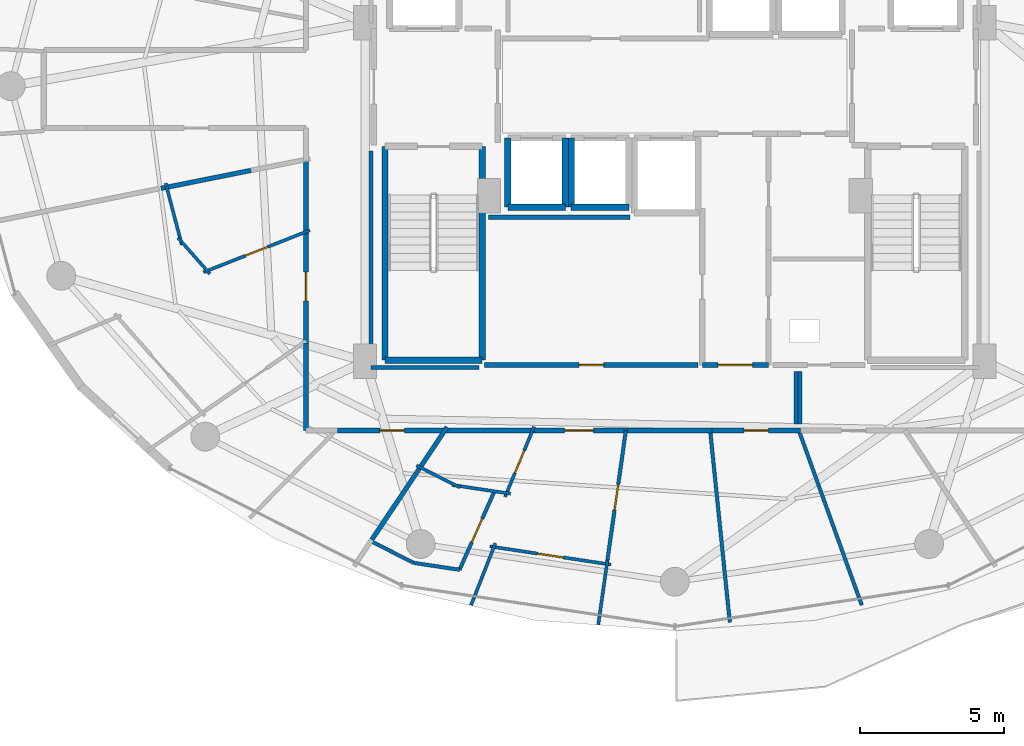
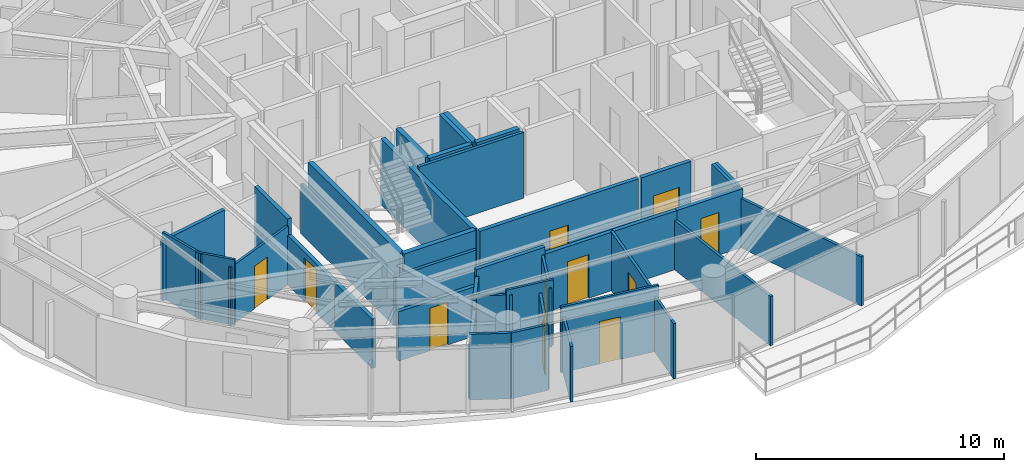
# One storey, part 21 of 30: 41 walls, 11 doors, 11 openings.
"""IFC4 building model written with IfcOpenShell, lengths in metres."""

from ifc_helpers import new_model, si_unit, direction, frame, frame_2d, origin, place, context, subcontext, project, spatial, rectangle, extrude, material, layer, layer_set, type_object, element, fill, save


model = new_model("IFC4")

# Units and contexts
model_context = context("Model", 3, precision=1e-05, world=origin(), true_north=direction((0.0, 1.0)))
body_context = subcontext(model_context, "Body", "Model", "MODEL_VIEW")
ifc_project = project(units=[si_unit("LENGTHUNIT", "METRE"), si_unit("AREAUNIT", "SQUARE_METRE"), si_unit("VOLUMEUNIT", "CUBIC_METRE"), si_unit("PLANEANGLEUNIT", "RADIAN"), si_unit("MASSUNIT", "GRAM", prefix="KILO")], contexts=[model_context])

# Site, building, storey
site_placement = place(None, origin())
site = spatial("IfcSite", under=ifc_project, at=site_placement, CompositionType="ELEMENT")
building_placement = place(site_placement, origin())
building = spatial("IfcBuilding", under=site, at=building_placement, Name="Vorneva Point Tower", CompositionType="ELEMENT")
storey_placement = place(building_placement, frame((0.0, 0.0, 153.60009765625)))
storey = spatial("IfcBuildingStorey", under=building, at=storey_placement, Name="L41", CompositionType="ELEMENT", Elevation=153.60009765625)

# Wall, opening, door
ifc_material_1 = material(Name="Fire-rated acoustic gypsum stud partition", Category="gypsum")
ifc_layer_1 = layer(ifc_material_1, 0.110107421875)
ifc_layer_set_1 = layer_set([ifc_layer_1], Name="Fire-rated acoustic gypsum stud partition")
wall_type_1 = type_object("IfcWallType", Name="WL-PART-110", PredefinedType="PARTITIONING", material=ifc_layer_set_1)
wall_1_placement = place(storey_placement, frame((25.330078125, 20.997314453125, 0.0), z_axis=(0.0, 0.0, 1.0), x_axis=(-0.930092731386, -0.367324803169, 0.0)))
wall_1 = element("IfcWall", 1, at=wall_1_placement, inside=storey, type_object=wall_type_1, Name="L41 Interior Partition 110", PredefinedType="PARTITIONING", context=body_context, shape_type="SweptSolid", body=[
    extrude(rectangle(XDim=3.968505859375, YDim=0.110107421875, at=frame_2d((1.984375, 0.0))), origin(), (0.0, 0.0, 1.0), 2.885986328125),
])
opening_1_placement = place(wall_1_placement, frame((1.559326171875, 0.0, 0.0)))
opening_1 = element("IfcOpeningElement", 2, at=opening_1_placement, cuts=wall_1, Name="Opening ID-02", PredefinedType="OPENING", context=body_context, shape_type="SweptSolid", body=[
    extrude(rectangle(XDim=0.85009765625, YDim=2.10009765625, at=frame_2d((0.425048828125, 1.050048828125))), frame((0.0, 0.06982421875, 0.0), z_axis=(0.0, -1.0, 0.0), x_axis=(1.0, 0.0, 0.0)), (0.0, 0.0, 1.0), 0.139892578125),
])
ifc_material_2 = material(Name="Engineered oak fire-rated door leaf", Category="wood")
door_type_1 = type_object("IfcDoorType", Name="DR-BATH-850", OperationType="NOTDEFINED", PredefinedType="DOOR", material=ifc_material_2)
door_1_placement = place(opening_1_placement, origin())
door_1 = element("IfcDoor", 3, at=door_1_placement, inside=storey, type_object=door_type_1, Name="L41 Door Living and Dining Room L41-05 / Bathroom L41-05", OperationType="SINGLE_SWING_LEFT", OverallHeight=2.10009765625, OverallWidth=0.85009765625, PredefinedType="DOOR", context=body_context, shape_type="SweptSolid", body=[
    extrude(rectangle(XDim=0.85009765625, YDim=2.10009765625, at=frame_2d((0.425048828125, 1.050048828125))), frame((0.0, 0.02490234375, 0.0), z_axis=(0.0, -1.0, 0.0), x_axis=(1.0, 0.0, 0.0)), (0.0, 0.0, 1.0), 0.050048828125),
])
fill(opening_1, door_1)

# Walls
wall_2_placement = place(storey_placement, frame((21.861572265625, 19.486083984375, 0.0), z_axis=(0.0, 0.0, 1.0), x_axis=(-0.661645897528, 0.749816448396, 0.0)))
element("IfcWall", 4, at=wall_2_placement, inside=storey, type_object=wall_type_1, Name="L41 Interior Partition 111", PredefinedType="PARTITIONING", context=body_context, shape_type="SweptSolid", body=[
    extrude(rectangle(XDim=1.6640625, YDim=0.110107421875, at=frame_2d((0.83203125, 0.0))), origin(), (0.0, 0.0, 1.0), 3.239990234375),
])
wall_3_placement = place(storey_placement, frame((20.888671875, 20.49365234375, 0.0), z_axis=(0.0, 0.0, 1.0), x_axis=(-0.254389812051, 0.967101764823, 0.0)))
element("IfcWall", 5, at=wall_3_placement, inside=storey, type_object=wall_type_1, Name="L41 Interior Partition 112", PredefinedType="PARTITIONING", context=body_context, shape_type="SweptSolid", body=[
    extrude(rectangle(XDim=2.206298828125, YDim=0.110107421875, at=frame_2d((1.10302734375, 0.0))), origin(), (0.0, 0.0, 1.0), 3.239990234375),
])

# Wall, opening, door
wall_4_placement = place(storey_placement, frame((33.112548828125, 14.179443359375, 0.0), z_axis=(0.0, 0.0, 1.0), x_axis=(-0.382343605935, -0.924020220017, 0.0)))
wall_4 = element("IfcWall", 6, at=wall_4_placement, inside=storey, type_object=wall_type_1, Name="L41 Interior Partition 121", PredefinedType="PARTITIONING", context=body_context, shape_type="SweptSolid", body=[
    extrude(rectangle(XDim=2.634033203125, YDim=0.110107421875, at=frame_2d((1.31689453125, 0.0))), origin(), (0.0, 0.0, 1.0), 2.885986328125),
])
opening_2_placement = place(wall_4_placement, frame((0.89208984375, 0.0, 0.0)))
opening_2 = element("IfcOpeningElement", 7, at=opening_2_placement, cuts=wall_4, Name="Opening ID-02", PredefinedType="OPENING", context=body_context, shape_type="SweptSolid", body=[
    extrude(rectangle(XDim=0.85009765625, YDim=2.10009765625, at=frame_2d((0.425048828125, 1.050048828125))), frame((0.0, 0.06982421875, 0.0), z_axis=(0.0, -1.0, 0.0), x_axis=(1.0, 0.0, 0.0)), (0.0, 0.0, 1.0), 0.139892578125),
])
door_2_placement = place(opening_2_placement, origin())
door_2 = element("IfcDoor", 8, at=door_2_placement, inside=storey, type_object=door_type_1, Name="L41 Door Living and Dining Room L41-06 / Bathroom L41-06", OperationType="SINGLE_SWING_RIGHT", OverallHeight=2.10009765625, OverallWidth=0.85009765625, PredefinedType="DOOR", context=body_context, shape_type="SweptSolid", body=[
    extrude(rectangle(XDim=0.85009765625, YDim=2.10009765625, at=frame_2d((0.425048828125, 1.050048828125))), frame((0.0, 0.02490234375, 0.0), z_axis=(0.0, -1.0, 0.0), x_axis=(1.0, 0.0, 0.0)), (0.0, 0.0, 1.0), 0.050048828125),
])
fill(opening_2, door_2)

# Walls
wall_5_placement = place(storey_placement, frame((32.29736328125, 11.854248046875, 0.0), z_axis=(0.0, 0.0, 1.0), x_axis=(-0.988917131865, 0.148468536412, 0.0)))
element("IfcWall", 9, at=wall_5_placement, inside=storey, type_object=wall_type_1, Name="L41 Interior Partition 122", PredefinedType="PARTITIONING", context=body_context, shape_type="SweptSolid", body=[
    extrude(rectangle(XDim=2.050537109375, YDim=0.110107421875, at=frame_2d((1.025390625, 0.0))), origin(), (0.0, 0.0, 1.0), 3.239990234375),
])
wall_6_placement = place(storey_placement, frame((30.9248046875, 7.981689453125, 0.0), z_axis=(0.0, 0.0, 1.0), x_axis=(0.365433616255, 0.930837403691, 0.0)))
element("IfcWall", 10, at=wall_6_placement, inside=storey, type_object=wall_type_1, Name="L41 Interior Partition 123", PredefinedType="PARTITIONING", context=body_context, shape_type="SweptSolid", body=[
    extrude(rectangle(XDim=2.3134765625, YDim=0.110107421875, at=frame_2d((1.15673828125, 0.0))), origin(), (0.0, 0.0, 1.0), 2.727783203125),
])

# Wall, opening, door
wall_7_placement = place(storey_placement, frame((31.58056640625, 10.02587890625, 0.0), z_axis=(0.0, 0.0, 1.0), x_axis=(0.988869600434, -0.148784788666, 0.0)))
wall_7 = element("IfcWall", 11, at=wall_7_placement, inside=storey, type_object=wall_type_1, Name="L41 Interior Partition 124", PredefinedType="PARTITIONING", context=body_context, shape_type="SweptSolid", body=[
    extrude(rectangle(XDim=4.2451171875, YDim=0.110107421875, at=frame_2d((2.12255859375, 0.0))), origin(), (0.0, 0.0, 1.0), 3.239990234375),
])
opening_3_placement = place(wall_7_placement, frame((1.672607421875, 0.0, 0.0)))
opening_3 = element("IfcOpeningElement", 12, at=opening_3_placement, cuts=wall_7, Name="Opening ID-01", PredefinedType="OPENING", context=body_context, shape_type="SweptSolid", body=[
    extrude(rectangle(XDim=0.89990234375, YDim=2.10009765625, at=frame_2d((0.449951171875, 1.050048828125))), frame((0.0, 0.06982421875, 0.0), z_axis=(0.0, -1.0, 0.0), x_axis=(1.0, 0.0, 0.0)), (0.0, 0.0, 1.0), 0.139892578125),
])
door_type_2 = type_object("IfcDoorType", Name="DR-ROOM-900", OperationType="NOTDEFINED", PredefinedType="DOOR", material=ifc_material_2)
door_3_placement = place(opening_3_placement, origin())
door_3 = element("IfcDoor", 13, at=door_3_placement, inside=storey, type_object=door_type_2, Name="L41 Door Living and Dining Room L41-06 / Kitchen L41-06", OperationType="SINGLE_SWING_LEFT", OverallHeight=2.10009765625, OverallWidth=0.89990234375, PredefinedType="DOOR", context=body_context, shape_type="SweptSolid", body=[
    extrude(rectangle(XDim=0.89990234375, YDim=2.10009765625, at=frame_2d((0.449951171875, 1.050048828125))), frame((0.0, 0.02490234375, 0.0), z_axis=(0.0, -1.0, 0.0), x_axis=(1.0, 0.0, 0.0)), (0.0, 0.0, 1.0), 0.050048828125),
])
fill(opening_3, door_3)

# Walls
wall_8_placement = place(storey_placement, frame((29.033935546875, 12.83203125, 0.0), z_axis=(0.0, 0.0, 1.0), x_axis=(0.892617244745, -0.450815321816, 0.0)))
element("IfcWall", 14, at=wall_8_placement, inside=storey, type_object=wall_type_1, Name="L41 Interior Partition 129", PredefinedType="PARTITIONING", context=body_context, shape_type="SweptSolid", body=[
    extrude(rectangle(XDim=1.679443359375, YDim=0.110107421875, at=frame_2d((0.83984375, 0.0))), origin(), (0.0, 0.0, 1.0), 2.971923828125),
])
wall_9_placement = place(storey_placement, frame((35.34033203125, 7.308349609375, 0.0), z_axis=(0.0, 0.0, 1.0), x_axis=(0.140803429846, 0.990037572087, 0.0)))
element("IfcWall", 15, at=wall_9_placement, inside=storey, type_object=wall_type_1, Name="L41 Interior Partition 130", PredefinedType="PARTITIONING", context=body_context, shape_type="SweptSolid", body=[
    extrude(rectangle(XDim=2.26806640625, YDim=0.110107421875, at=frame_2d((1.134033203125, 0.0))), origin(), (0.0, 0.0, 1.0), 2.727783203125),
])

# Wall, opening, door
ifc_layer_2 = layer(ifc_material_1, 0.125)
ifc_layer_set_2 = layer_set([ifc_layer_2], Name="Fire-rated acoustic gypsum stud partition")
wall_type_2 = type_object("IfcWallType", Name="WL-PART-125", PredefinedType="PARTITIONING", material=ifc_layer_set_2)
wall_10_placement = place(storey_placement, frame((31.738037109375, 11.93798828125, 0.0), z_axis=(0.0, 0.0, 1.0), x_axis=(-0.406814964782, -0.913510582549, 0.0)))
wall_10 = element("IfcWall", 16, at=wall_10_placement, inside=storey, type_object=wall_type_2, Name="L41 Interior Partition 125", PredefinedType="PARTITIONING", context=body_context, shape_type="SweptSolid", body=[
    extrude(rectangle(XDim=2.979736328125, YDim=0.125, at=frame_2d((1.48974609375, 0.0))), origin(), (0.0, 0.0, 1.0), 2.727783203125),
])
opening_4_placement = place(wall_10_placement, frame((1.039794921875, 0.0, 0.0)))
opening_4 = element("IfcOpeningElement", 17, at=opening_4_placement, cuts=wall_10, Name="Opening ID-01", PredefinedType="OPENING", context=body_context, shape_type="SweptSolid", body=[
    extrude(rectangle(XDim=0.89990234375, YDim=2.10009765625, at=frame_2d((0.449951171875, 1.050048828125))), frame((0.0, 0.077392578125, 0.0), z_axis=(0.0, -1.0, 0.0), x_axis=(1.0, 0.0, 0.0)), (0.0, 0.0, 1.0), 0.15478515625),
])
door_4_placement = place(opening_4_placement, origin())
door_4 = element("IfcDoor", 18, at=door_4_placement, inside=storey, type_object=door_type_2, Name="L41 Door Living and Dining Room L41-06 / Study Room L41-06", OperationType="SINGLE_SWING_RIGHT", OverallHeight=2.10009765625, OverallWidth=0.89990234375, PredefinedType="DOOR", context=body_context, shape_type="SweptSolid", body=[
    extrude(rectangle(XDim=0.89990234375, YDim=2.10009765625, at=frame_2d((0.449951171875, 1.050048828125))), frame((0.0, 0.02490234375, 0.0), z_axis=(0.0, -1.0, 0.0), x_axis=(1.0, 0.0, 0.0)), (0.0, 0.0, 1.0), 0.050048828125),
])
fill(opening_4, door_4)

# Walls
wall_11_placement = place(storey_placement, frame((30.52587890625, 9.216064453125, 0.0), z_axis=(0.0, 0.0, 1.0), x_axis=(-0.988860390109, 0.148845990455, 0.0)))
element("IfcWall", 19, at=wall_11_placement, inside=storey, type_object=wall_type_2, Name="L41 Interior Partition 126", PredefinedType="PARTITIONING", context=body_context, shape_type="SweptSolid", body=[
    extrude(rectangle(XDim=1.605712890625, YDim=0.125, at=frame_2d((0.802734375, 0.0))), origin(), (0.0, 0.0, 1.0), 3.239990234375),
])
wall_12_placement = place(storey_placement, frame((28.93798828125, 9.455078125, 0.0), z_axis=(0.0, 0.0, 1.0), x_axis=(-0.892517956507, 0.451011859392, 0.0)))
element("IfcWall", 20, at=wall_12_placement, inside=storey, type_object=wall_type_2, Name="L41 Interior Partition 127", PredefinedType="PARTITIONING", context=body_context, shape_type="SweptSolid", body=[
    extrude(rectangle(XDim=1.66943359375, YDim=0.125, at=frame_2d((0.834716796875, 0.0))), origin(), (0.0, 0.0, 1.0), 3.239990234375),
])

# Wall, opening, door
wall_13_placement = place(storey_placement, frame((35.639892578125, 9.4150390625, 0.0), z_axis=(0.0, 0.0, 1.0), x_axis=(0.140800762129, 0.990037951487, 0.0)))
wall_13 = element("IfcWall", 21, at=wall_13_placement, inside=storey, type_object=wall_type_2, Name="L41 Interior Partition 128", PredefinedType="PARTITIONING", context=body_context, shape_type="SweptSolid", body=[
    extrude(rectangle(XDim=4.681640625, YDim=0.125, at=frame_2d((2.3408203125, 0.0))), origin(), (0.0, 0.0, 1.0), 2.885986328125),
])
opening_5_placement = place(wall_13_placement, frame((1.890869140625, 0.0, 0.0)))
opening_5 = element("IfcOpeningElement", 22, at=opening_5_placement, cuts=wall_13, Name="Opening ID-01", PredefinedType="OPENING", context=body_context, shape_type="SweptSolid", body=[
    extrude(rectangle(XDim=0.89990234375, YDim=2.10009765625, at=frame_2d((0.449951171875, 1.050048828125))), frame((0.0, 0.077392578125, 0.0), z_axis=(0.0, -1.0, 0.0), x_axis=(1.0, 0.0, 0.0)), (0.0, 0.0, 1.0), 0.15478515625),
])
door_5_placement = place(opening_5_placement, origin())
door_5 = element("IfcDoor", 23, at=door_5_placement, inside=storey, type_object=door_type_2, Name="L41 Door Living and Dining Room L41-06 / Master Bedroom L41-06.1", OperationType="SINGLE_SWING_LEFT", OverallHeight=2.10009765625, OverallWidth=0.89990234375, PredefinedType="DOOR", context=body_context, shape_type="SweptSolid", body=[
    extrude(rectangle(XDim=0.89990234375, YDim=2.10009765625, at=frame_2d((0.449951171875, 1.050048828125))), frame((0.0, 0.02490234375, 0.0), z_axis=(0.0, -1.0, 0.0), x_axis=(1.0, 0.0, 0.0)), (0.0, 0.0, 1.0), 0.050048828125),
])
fill(opening_5, door_5)

# Walls
wall_14_placement = place(storey_placement, frame((39.906005859375, 7.39208984375, 0.0), z_axis=(0.0, 0.0, 1.0), x_axis=(-0.101883545041, 0.994796332547, 0.0)))
element("IfcWall", 24, at=wall_14_placement, inside=storey, type_object=wall_type_2, Name="L41 Interior Partition 131", PredefinedType="PARTITIONING", context=body_context, shape_type="SweptSolid", body=[
    extrude(rectangle(XDim=6.69287109375, YDim=0.125, at=frame_2d((3.346435546875, 0.0))), origin(), (0.0, 0.0, 1.0), 2.431884765625),
])
wall_15_placement = place(storey_placement, frame((44.48388671875, 7.989013671875, 0.0), z_axis=(0.0, 0.0, 1.0), x_axis=(-0.338707389808, 0.940891760028, 0.0)))
element("IfcWall", 25, at=wall_15_placement, inside=storey, type_object=wall_type_2, Name="L41 Interior Partition 132", PredefinedType="PARTITIONING", context=body_context, shape_type="SweptSolid", body=[
    extrude(rectangle(XDim=6.44189453125, YDim=0.125, at=frame_2d((3.220947265625, 0.0))), origin(), (0.0, 0.0, 1.0), 2.431884765625),
])
ifc_layer_3 = layer(ifc_material_1, 0.139892578125)
ifc_layer_set_3 = layer_set([ifc_layer_3], Name="Fire-rated acoustic gypsum stud partition")
wall_type_3 = type_object("IfcWallType", Name="WL-PART-140", PredefinedType="PARTITIONING", material=ifc_layer_set_3)
wall_16_placement = place(storey_placement, frame((36.43896484375, 21.449951171875, 0.0), z_axis=(0.0, 0.0, 1.0), x_axis=(-1.0, 0.0, 0.0)))
element("IfcWall", 26, at=wall_16_placement, inside=storey, type_object=wall_type_3, Name="L41 Interior Closure Partition 141", PredefinedType="PARTITIONING", context=body_context, shape_type="SweptSolid", body=[
    extrude(rectangle(XDim=4.908935546875, YDim=0.139892578125, at=frame_2d((2.45458984375, 0.0))), origin(), (0.0, 0.0, 1.0), 3.239990234375),
])
wall_17_placement = place(storey_placement, frame((27.449951171875, 23.75390625, 0.0), z_axis=(0.0, 0.0, 1.0), x_axis=(0.0, -1.0, 0.0)))
element("IfcWall", 27, at=wall_17_placement, inside=storey, type_object=wall_type_3, Name="L41 Interior Closure Partition 151", PredefinedType="PARTITIONING", context=body_context, shape_type="SweptSolid", body=[
    extrude(rectangle(XDim=7.513916015625, YDim=0.139892578125, at=frame_2d((3.7568359375, 0.0))), origin(), (0.0, 0.0, 1.0), 2.431884765625),
])
wall_18_placement = place(storey_placement, frame((27.449951171875, 16.239990234375, 0.0), z_axis=(0.0, 0.0, 1.0), x_axis=(1.0, 0.0, 0.0)))
element("IfcWall", 28, at=wall_18_placement, inside=storey, type_object=wall_type_3, Name="L41 Interior Closure Partition 152", PredefinedType="PARTITIONING", context=body_context, shape_type="SweptSolid", body=[
    extrude(rectangle(XDim=3.7451171875, YDim=0.139892578125, at=frame_2d((1.87255859375, 0.0))), origin(), (0.0, 0.0, 1.0), 2.431884765625),
])
for number, where, z_axis, x_axis, name in (
    (29, (42.199951171875, 16.10009765625, 0.0), (0.0, 0.0, 1.0), (0.0, -1.0, 0.0), "L41 Interior Closure Partition 153"),
    (30, (42.340087890625, 14.27001953125, 0.0), (0.0, 0.0, 1.0), (0.0, 1.0, 0.0), "L41 Interior Closure Partition 154"),
):
    element("IfcWall", number, at=place(storey_placement, frame(where, z_axis=z_axis, x_axis=x_axis)), inside=storey, type_object=wall_type_3, Name=name, PredefinedType="PARTITIONING", context=body_context, shape_type="SweptSolid", body=[
        extrude(rectangle(XDim=1.830078125, YDim=0.139892578125, at=frame_2d((0.9150390625, 0.0))), origin(), (0.0, 0.0, 1.0), 2.885986328125),
    ])
ifc_layer_4 = layer(ifc_material_1, 0.159912109375)
ifc_layer_set_4 = layer_set([ifc_layer_4], Name="Fire-rated acoustic gypsum stud partition")
wall_type_4 = type_object("IfcWallType", Name="WL-PART-160", PredefinedType="PARTITIONING", material=ifc_layer_set_4)
wall_19_placement = place(storey_placement, frame((20.166748046875, 22.45263671875, 0.0), z_axis=(0.0, 0.0, 1.0), x_axis=(0.980766708229, 0.195183667423, 0.0)))
element("IfcWall", 31, at=wall_19_placement, inside=storey, type_object=wall_type_4, Name="L41 Interior Partition 108", PredefinedType="PARTITIONING", context=body_context, shape_type="SweptSolid", body=[
    extrude(rectangle(XDim=3.323486328125, YDim=0.159912109375, at=frame_2d((1.66162109375, 0.0))), origin(), (0.0, 0.0, 1.0), 2.971923828125),
])
wall_20_placement = place(storey_placement, frame((29.048095703125, 12.6025390625, 0.0), z_axis=(0.0, 0.0, 1.0), x_axis=(0.555448864434, 0.831550695387, 0.0)))
element("IfcWall", 32, at=wall_20_placement, inside=storey, type_object=wall_type_4, Name="L41 Interior Partition 119", PredefinedType="PARTITIONING", context=body_context, shape_type="SweptSolid", body=[
    extrude(rectangle(XDim=1.880859375, YDim=0.159912109375, at=frame_2d((0.9404296875, 0.0))), origin(), (0.0, 0.0, 1.0), 2.885986328125),
])
wall_21_placement = place(storey_placement, frame((27.48193359375, 10.258056640625, 0.0), z_axis=(0.0, 0.0, 1.0), x_axis=(0.5554636799, 0.831540798946, 0.0)))
element("IfcWall", 33, at=wall_21_placement, inside=storey, type_object=wall_type_4, Name="L41 Interior Partition 120", PredefinedType="PARTITIONING", context=body_context, shape_type="SweptSolid", body=[
    extrude(rectangle(XDim=2.80322265625, YDim=0.159912109375, at=frame_2d((1.401611328125, 0.0))), origin(), (0.0, 0.0, 1.0), 2.431884765625),
])

# Wall, opening, door
ifc_material_3 = material(Name="Autoclaved aerated concrete blockwork", Category="masonry")
ifc_layer_5 = layer(ifc_material_3, 0.179931640625)
ifc_layer_set_5 = layer_set([ifc_layer_5], Name="Autoclaved aerated concrete blockwork")
wall_type_5 = type_object("IfcWallType", Name="WL-PART-180", PredefinedType="PARTITIONING", material=ifc_layer_set_5)
wall_22_placement = place(storey_placement, frame((38.949951171875, 16.320068359375, 0.0), z_axis=(0.0, 0.0, 1.0), x_axis=(1.0, 0.0, 0.0)))
wall_22 = element("IfcWall", 34, at=wall_22_placement, inside=storey, type_object=wall_type_5, Name="L41 Interior Partition 016", PredefinedType="PARTITIONING", context=body_context, shape_type="SweptSolid", body=[
    extrude(rectangle(XDim=2.300048828125, YDim=0.179931640625, at=frame_2d((1.14990234375, 0.0))), origin(), (0.0, 0.0, 1.0), 3.239990234375),
])
opening_6_placement = place(wall_22_placement, frame((0.550048828125, 0.0, 0.0)))
opening_6 = element("IfcOpeningElement", 35, at=opening_6_placement, cuts=wall_22, Name="Opening FD-02", PredefinedType="OPENING", context=body_context, shape_type="SweptSolid", body=[
    extrude(rectangle(XDim=1.199951171875, YDim=2.14990234375, at=frame_2d((0.60009765625, 1.074951171875))), frame((0.0, 0.10498046875, 0.0), z_axis=(0.0, -1.0, 0.0), x_axis=(1.0, 0.0, 0.0)), (0.0, 0.0, 1.0), 0.209716796875),
])
ifc_material_4 = material(Name="Fire-rated powder-coated steel", Category="steel")
door_type_3 = type_object("IfcDoorType", Name="DR-FFL-1200", OperationType="NOTDEFINED", PredefinedType="DOOR", material=ifc_material_4)
door_6_placement = place(opening_6_placement, origin())
door_6 = element("IfcDoor", 36, at=door_6_placement, inside=storey, type_object=door_type_3, Name="L41 Door Core Service Lobby / L41 Circulation Corridor", OperationType="SINGLE_SWING_RIGHT", OverallHeight=2.14990234375, OverallWidth=1.199951171875, PredefinedType="DOOR", context=body_context, shape_type="SweptSolid", body=[
    extrude(rectangle(XDim=1.199951171875, YDim=2.14990234375, at=frame_2d((0.60009765625, 1.074951171875))), frame((0.0, 0.02490234375, 0.0), z_axis=(0.0, -1.0, 0.0), x_axis=(1.0, 0.0, 0.0)), (0.0, 0.0, 1.0), 0.050048828125),
])
fill(opening_6, door_6)

wall_23_placement = place(storey_placement, frame((31.39990234375, 16.320068359375, 0.0), z_axis=(0.0, 0.0, 1.0), x_axis=(1.0, 0.0, 0.0)))
wall_23 = element("IfcWall", 37, at=wall_23_placement, inside=storey, type_object=wall_type_5, Name="L41 Interior Partition 025", PredefinedType="PARTITIONING", context=body_context, shape_type="SweptSolid", body=[
    extrude(rectangle(XDim=7.400146484375, YDim=0.179931640625, at=frame_2d((3.7001953125, 0.0))), origin(), (0.0, 0.0, 1.0), 3.239990234375),
])
opening_7_placement = place(wall_23_placement, frame((3.27490234375, 0.0, 0.0)))
opening_7 = element("IfcOpeningElement", 38, at=opening_7_placement, cuts=wall_23, Name="Opening ID-02", PredefinedType="OPENING", context=body_context, shape_type="SweptSolid", body=[
    extrude(rectangle(XDim=0.85009765625, YDim=2.10009765625, at=frame_2d((0.425048828125, 1.050048828125))), frame((0.0, 0.10498046875, 0.0), z_axis=(0.0, -1.0, 0.0), x_axis=(1.0, 0.0, 0.0)), (0.0, 0.0, 1.0), 0.209716796875),
])
door_7_placement = place(opening_7_placement, origin())
door_7 = element("IfcDoor", 39, at=door_7_placement, inside=storey, type_object=door_type_1, Name="L41 Door Floor Storage Room / L41 Circulation Corridor", OperationType="SINGLE_SWING_RIGHT", OverallHeight=2.10009765625, OverallWidth=0.85009765625, PredefinedType="DOOR", context=body_context, shape_type="SweptSolid", body=[
    extrude(rectangle(XDim=0.85009765625, YDim=2.10009765625, at=frame_2d((0.425048828125, 1.050048828125))), frame((0.0, 0.02490234375, 0.0), z_axis=(0.0, -1.0, 0.0), x_axis=(1.0, 0.0, 0.0)), (0.0, 0.0, 1.0), 0.050048828125),
])
fill(opening_7, door_7)

wall_24_placement = place(storey_placement, frame((25.199951171875, 21.006103515625, 0.0), z_axis=(0.0, 0.0, 1.0), x_axis=(0.0, -1.0, 0.0)))
wall_24 = element("IfcWall", 40, at=wall_24_placement, inside=storey, type_object=wall_type_5, Name="L41 Interior Partition 048", PredefinedType="PARTITIONING", context=body_context, shape_type="SweptSolid", body=[
    extrude(rectangle(XDim=3.926025390625, YDim=0.179931640625, at=frame_2d((1.962890625, 0.0))), origin(), (0.0, 0.0, 1.0), 2.431884765625),
])
opening_8_placement = place(wall_24_placement, frame((1.462890625, 0.0, 0.0)))
opening_8 = element("IfcOpeningElement", 41, at=opening_8_placement, cuts=wall_24, Name="Opening UD-01", PredefinedType="OPENING", context=body_context, shape_type="SweptSolid", body=[
    extrude(rectangle(XDim=1.0, YDim=2.14990234375, at=frame_2d((0.5, 1.074951171875))), frame((0.0, 0.10498046875, 0.0), z_axis=(0.0, -1.0, 0.0), x_axis=(1.0, 0.0, 0.0)), (0.0, 0.0, 1.0), 0.209716796875),
])
door_type_4 = type_object("IfcDoorType", Name="DR-UNIT-1000", OperationType="NOTDEFINED", PredefinedType="DOOR", material=ifc_material_2)
door_8_placement = place(opening_8_placement, origin())
door_8 = element("IfcDoor", 42, at=door_8_placement, inside=storey, type_object=door_type_4, Name="L41 Door L41 Circulation Corridor / Living and Dining Room L41-05", OperationType="SINGLE_SWING_LEFT", OverallHeight=2.14990234375, OverallWidth=1.0, PredefinedType="DOOR", context=body_context, shape_type="SweptSolid", body=[
    extrude(rectangle(XDim=1.0, YDim=2.14990234375, at=frame_2d((0.5, 1.074951171875))), frame((0.0, 0.02490234375, 0.0), z_axis=(0.0, -1.0, 0.0), x_axis=(1.0, 0.0, 0.0)), (0.0, 0.0, 1.0), 0.050048828125),
])
fill(opening_8, door_8)

# Walls
wall_25_placement = place(storey_placement, frame((25.199951171875, 23.532958984375, 0.0), z_axis=(0.0, 0.0, 1.0), x_axis=(0.0, -1.0, 0.0)))
element("IfcWall", 43, at=wall_25_placement, inside=storey, type_object=wall_type_5, Name="L41 Interior Partition 049", PredefinedType="PARTITIONING", context=body_context, shape_type="SweptSolid", body=[
    extrude(rectangle(XDim=2.6669921875, YDim=0.179931640625, at=frame_2d((1.33349609375, 0.0))), origin(), (0.0, 0.0, 1.0), 3.239990234375),
])
wall_26_placement = place(storey_placement, frame((25.199951171875, 17.080078125, 0.0), z_axis=(0.0, 0.0, 1.0), x_axis=(0.0, -1.0, 0.0)))
element("IfcWall", 44, at=wall_26_placement, inside=storey, type_object=wall_type_5, Name="L41 Interior Partition 050", PredefinedType="PARTITIONING", context=body_context, shape_type="SweptSolid", body=[
    extrude(rectangle(XDim=3.030029296875, YDim=0.179931640625, at=frame_2d((1.51513671875, 0.0))), origin(), (0.0, 0.0, 1.0), 2.431884765625),
])

# Wall, opening, door
wall_27_placement = place(storey_placement, frame((26.2958984375, 14.050048828125, 0.0), z_axis=(0.0, 0.0, 1.0), x_axis=(1.0, 0.0, 0.0)))
wall_27 = element("IfcWall", 45, at=wall_27_placement, inside=storey, type_object=wall_type_5, Name="L41 Interior Partition 052", PredefinedType="PARTITIONING", context=body_context, shape_type="SweptSolid", body=[
    extrude(rectangle(XDim=3.779052734375, YDim=0.179931640625, at=frame_2d((1.8896484375, 0.0))), origin(), (0.0, 0.0, 1.0), 2.431884765625),
])
opening_9_placement = place(wall_27_placement, frame((1.464599609375, 0.0, 0.0)))
opening_9 = element("IfcOpeningElement", 46, at=opening_9_placement, cuts=wall_27, Name="Opening ID-02", PredefinedType="OPENING", context=body_context, shape_type="SweptSolid", body=[
    extrude(rectangle(XDim=0.85009765625, YDim=2.10009765625, at=frame_2d((0.425048828125, 1.050048828125))), frame((0.0, 0.10498046875, 0.0), z_axis=(0.0, -1.0, 0.0), x_axis=(1.0, 0.0, 0.0)), (0.0, 0.0, 1.0), 0.209716796875),
])
door_9_placement = place(opening_9_placement, origin())
door_9 = element("IfcDoor", 47, at=door_9_placement, inside=storey, type_object=door_type_1, Name="L41 Access Door L41 Circulation Corridor", OperationType="SINGLE_SWING_RIGHT", OverallHeight=2.10009765625, OverallWidth=0.85009765625, PredefinedType="DOOR", context=body_context, shape_type="SweptSolid", body=[
    extrude(rectangle(XDim=0.85009765625, YDim=2.10009765625, at=frame_2d((0.425048828125, 1.050048828125))), frame((0.0, 0.02490234375, 0.0), z_axis=(0.0, -1.0, 0.0), x_axis=(1.0, 0.0, 0.0)), (0.0, 0.0, 1.0), 0.050048828125),
])
fill(opening_9, door_9)

wall_28_placement = place(storey_placement, frame((32.993896484375, 14.050048828125, 0.0), z_axis=(0.0, 0.0, 1.0), x_axis=(1.0, 0.0, 0.0)))
wall_28 = element("IfcWall", 48, at=wall_28_placement, inside=storey, type_object=wall_type_5, Name="L41 Interior Partition 053", PredefinedType="PARTITIONING", context=body_context, shape_type="SweptSolid", body=[
    extrude(rectangle(XDim=3.364990234375, YDim=0.179931640625, at=frame_2d((1.6826171875, 0.0))), origin(), (0.0, 0.0, 1.0), 2.885986328125),
])
opening_10_placement = place(wall_28_placement, frame((1.1826171875, 0.0, 0.0)))
opening_10 = element("IfcOpeningElement", 49, at=opening_10_placement, cuts=wall_28, Name="Opening UD-01", PredefinedType="OPENING", context=body_context, shape_type="SweptSolid", body=[
    extrude(rectangle(XDim=1.0, YDim=2.14990234375, at=frame_2d((0.5, 1.074951171875))), frame((0.0, 0.10498046875, 0.0), z_axis=(0.0, -1.0, 0.0), x_axis=(1.0, 0.0, 0.0)), (0.0, 0.0, 1.0), 0.209716796875),
])
door_10_placement = place(opening_10_placement, origin())
door_10 = element("IfcDoor", 50, at=door_10_placement, inside=storey, type_object=door_type_4, Name="L41 Door L41 Circulation Corridor / Living and Dining Room L41-06", OperationType="SINGLE_SWING_RIGHT", OverallHeight=2.14990234375, OverallWidth=1.0, PredefinedType="DOOR", context=body_context, shape_type="SweptSolid", body=[
    extrude(rectangle(XDim=1.0, YDim=2.14990234375, at=frame_2d((0.5, 1.074951171875))), frame((0.0, 0.02490234375, 0.0), z_axis=(0.0, -1.0, 0.0), x_axis=(1.0, 0.0, 0.0)), (0.0, 0.0, 1.0), 0.050048828125),
])
fill(opening_10, door_10)

# Walls
wall_29_placement = place(storey_placement, frame((29.93505859375, 14.050048828125, 0.0), z_axis=(0.0, 0.0, 1.0), x_axis=(1.0, 0.0, 0.0)))
element("IfcWall", 51, at=wall_29_placement, inside=storey, type_object=wall_type_5, Name="L41 Interior Partition 054", PredefinedType="PARTITIONING", context=body_context, shape_type="SweptSolid", body=[
    extrude(rectangle(XDim=3.198974609375, YDim=0.179931640625, at=frame_2d((1.599609375, 0.0))), origin(), (0.0, 0.0, 1.0), 3.239990234375),
])
wall_30_placement = place(storey_placement, frame((36.35888671875, 14.050048828125, 0.0), z_axis=(0.0, 0.0, 1.0), x_axis=(1.0, 0.0, 0.0)))
element("IfcWall", 52, at=wall_30_placement, inside=storey, type_object=wall_type_5, Name="L41 Interior Partition 055", PredefinedType="PARTITIONING", context=body_context, shape_type="SweptSolid", body=[
    extrude(rectangle(XDim=2.925048828125, YDim=0.179931640625, at=frame_2d((1.46240234375, 0.0))), origin(), (0.0, 0.0, 1.0), 2.885986328125),
])

# Wall, opening, door
wall_31_placement = place(storey_placement, frame((39.283935546875, 14.050048828125, 0.0), z_axis=(0.0, 0.0, 1.0), x_axis=(1.0, 0.0, 0.0)))
wall_31 = element("IfcWall", 53, at=wall_31_placement, inside=storey, type_object=wall_type_5, Name="L41 Interior Partition 056", PredefinedType="PARTITIONING", context=body_context, shape_type="SweptSolid", body=[
    extrude(rectangle(XDim=3.08203125, YDim=0.179931640625, at=frame_2d((1.541015625, 0.0))), origin(), (0.0, 0.0, 1.0), 2.885986328125),
])
opening_11_placement = place(wall_31_placement, frame((1.115966796875, 0.0, 0.0)))
opening_11 = element("IfcOpeningElement", 54, at=opening_11_placement, cuts=wall_31, Name="Opening ID-02", PredefinedType="OPENING", context=body_context, shape_type="SweptSolid", body=[
    extrude(rectangle(XDim=0.85009765625, YDim=2.10009765625, at=frame_2d((0.425048828125, 1.050048828125))), frame((0.0, 0.10498046875, 0.0), z_axis=(0.0, -1.0, 0.0), x_axis=(1.0, 0.0, 0.0)), (0.0, 0.0, 1.0), 0.209716796875),
])
door_11_placement = place(opening_11_placement, origin())
door_11 = element("IfcDoor", 55, at=door_11_placement, inside=storey, type_object=door_type_1, Name="L41 Access Door L41 Circulation Corridor", OperationType="SINGLE_SWING_LEFT", OverallHeight=2.10009765625, OverallWidth=0.85009765625, PredefinedType="DOOR", context=body_context, shape_type="SweptSolid", body=[
    extrude(rectangle(XDim=0.85009765625, YDim=2.10009765625, at=frame_2d((0.425048828125, 1.050048828125))), frame((0.0, 0.02490234375, 0.0), z_axis=(0.0, -1.0, 0.0), x_axis=(1.0, 0.0, 0.0)), (0.0, 0.0, 1.0), 0.050048828125),
])
fill(opening_11, door_11)

# Walls
ifc_material_5 = material(Name="Concrete B50 (C40/50)", Category="concrete")
ifc_layer_6 = layer(ifc_material_5, 0.219970703125)
ifc_layer_set_6 = layer_set([ifc_layer_6], Name="Concrete B50 (C40/50)")
wall_type_6 = type_object("IfcWallType", Name="WL-SHFT-220", PredefinedType="SOLIDWALL", material=ifc_layer_set_6)
wall_32_placement = place(storey_placement, frame((31.31005859375, 23.909912109375, 0.0), z_axis=(0.0, 0.0, 1.0), x_axis=(0.0, -1.0, 0.0)))
element("IfcWall", 56, at=wall_32_placement, inside=storey, type_object=wall_type_6, Name="L41 Exit Stair ST1 Shaft Wall right", PredefinedType="SOLIDWALL", context=body_context, shape_type="SweptSolid", body=[
    extrude(rectangle(XDim=7.419921875, YDim=0.219970703125, at=frame_2d((3.7099609375, 0.0))), origin(), (0.0, 0.0, 1.0), 3.239990234375),
])
wall_33_placement = place(storey_placement, frame((31.31005859375, 16.489990234375, 0.0), z_axis=(0.0, 0.0, 1.0), x_axis=(-1.0, 0.0, 0.0)))
element("IfcWall", 57, at=wall_33_placement, inside=storey, type_object=wall_type_6, Name="L41 Exit Stair ST1 Shaft Wall far", PredefinedType="SOLIDWALL", context=body_context, shape_type="SweptSolid", body=[
    extrude(rectangle(XDim=3.3701171875, YDim=0.219970703125, at=frame_2d((1.68505859375, 0.0))), origin(), (0.0, 0.0, 1.0), 3.239990234375),
])
wall_34_placement = place(storey_placement, frame((27.93994140625, 16.489990234375, 0.0), z_axis=(0.0, 0.0, 1.0), x_axis=(0.0, 1.0, 0.0)))
element("IfcWall", 58, at=wall_34_placement, inside=storey, type_object=wall_type_6, Name="L41 Exit Stair ST1 Shaft Wall left", PredefinedType="SOLIDWALL", context=body_context, shape_type="SweptSolid", body=[
    extrude(rectangle(XDim=7.419921875, YDim=0.219970703125, at=frame_2d((3.7099609375, 0.0))), origin(), (0.0, 0.0, 1.0), 3.239990234375),
])
wall_35_placement = place(storey_placement, frame((32.199951171875, 21.800048828125, 0.0), z_axis=(0.0, 0.0, 1.0), x_axis=(1.0, 0.0, 0.0)))
element("IfcWall", 59, at=wall_35_placement, inside=storey, type_object=wall_type_6, Name="L41 Lift PL4 Shaft Wall -Y", PredefinedType="SOLIDWALL", context=body_context, shape_type="SweptSolid", body=[
    extrude(rectangle(XDim=2.0, YDim=0.219970703125, at=frame_2d((1.0, 0.0))), origin(), (0.0, 0.0, 1.0), 3.239990234375),
])
for number, where, z_axis, x_axis, name in (
    (60, (34.199951171875, 21.800048828125, 0.0), (0.0, 0.0, 1.0), (0.0, 1.0, 0.0), "L41 Lift PL4 Shaft Wall +X"),
    (61, (32.199951171875, 24.199951171875, 0.0), (0.0, 0.0, 1.0), (0.0, -1.0, 0.0), "L41 Lift PL4 Shaft Wall -X"),
):
    element("IfcWall", number, at=place(storey_placement, frame(where, z_axis=z_axis, x_axis=x_axis)), inside=storey, type_object=wall_type_6, Name=name, PredefinedType="SOLIDWALL", context=body_context, shape_type="SweptSolid", body=[
        extrude(rectangle(XDim=2.39990234375, YDim=0.219970703125, at=frame_2d((1.199951171875, 0.0))), origin(), (0.0, 0.0, 1.0), 3.239990234375),
    ])
wall_36_placement = place(storey_placement, frame((34.39990234375, 21.800048828125, 0.0), z_axis=(0.0, 0.0, 1.0), x_axis=(1.0, 0.0, 0.0)))
element("IfcWall", 62, at=wall_36_placement, inside=storey, type_object=wall_type_6, Name="L41 Lift PL5 Shaft Wall -Y", PredefinedType="SOLIDWALL", context=body_context, shape_type="SweptSolid", body=[
    extrude(rectangle(XDim=2.0, YDim=0.219970703125, at=frame_2d((1.0, 0.0))), origin(), (0.0, 0.0, 1.0), 3.239990234375),
])
wall_37_placement = place(storey_placement, frame((34.39990234375, 24.199951171875, 0.0), z_axis=(0.0, 0.0, 1.0), x_axis=(0.0, -1.0, 0.0)))
element("IfcWall", 63, at=wall_37_placement, inside=storey, type_object=wall_type_6, Name="L41 Lift PL5 Shaft Wall -X", PredefinedType="SOLIDWALL", context=body_context, shape_type="SweptSolid", body=[
    extrude(rectangle(XDim=2.39990234375, YDim=0.219970703125, at=frame_2d((1.199951171875, 0.0))), origin(), (0.0, 0.0, 1.0), 3.239990234375),
])

save(model, "model.ifc")
